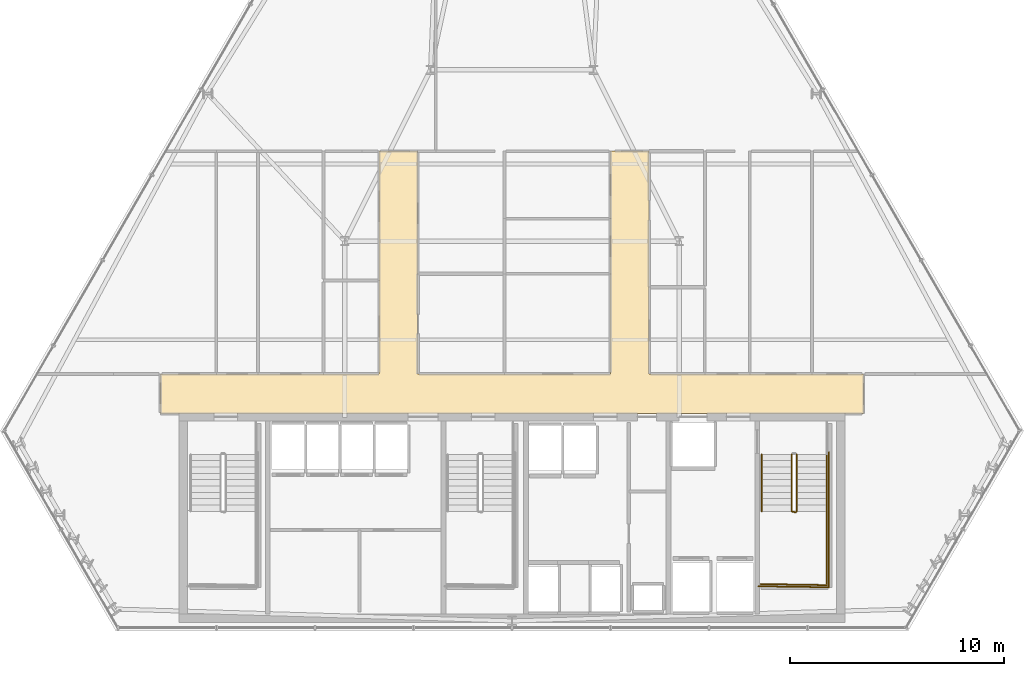
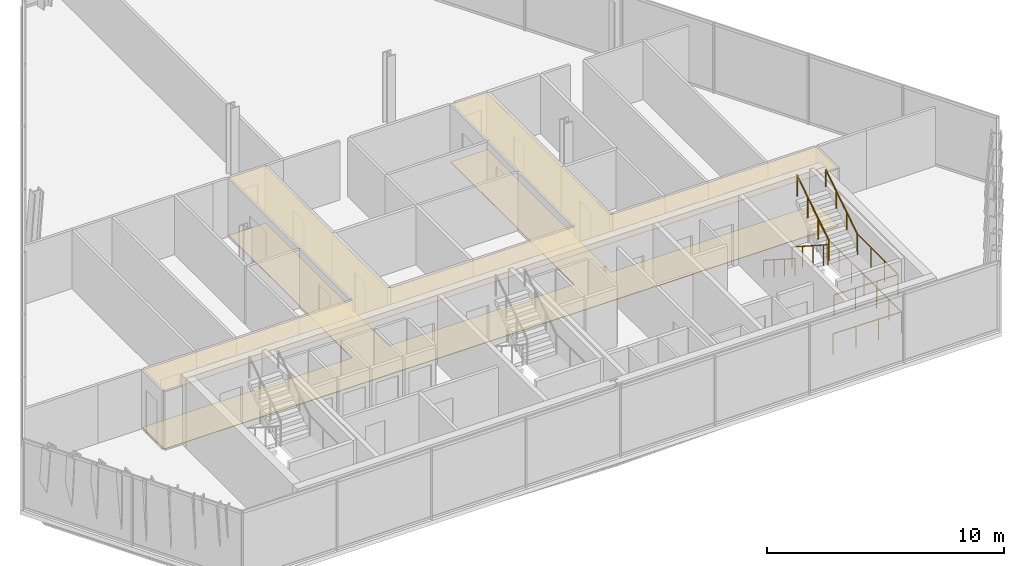
# One storey, part 32 of 33: 6 railings, 2 coverings.
"""IFC4 building model written with IfcOpenShell, lengths in metres."""

from ifc_helpers import new_model, si_unit, direction, frame, origin, origin_2d, place, context, subcontext, project, spatial, polyline, circle, outline, extrude, material, layer, layer_set, type_object, element, save


model = new_model("IFC4")

# Units and contexts
model_context = context("Model", 3, precision=1e-05, world=origin(), true_north=direction((0.0, 1.0)))
body_context = subcontext(model_context, "Body", "Model", "MODEL_VIEW")
ifc_project = project(units=[si_unit("LENGTHUNIT", "METRE"), si_unit("AREAUNIT", "SQUARE_METRE"), si_unit("VOLUMEUNIT", "CUBIC_METRE"), si_unit("PLANEANGLEUNIT", "RADIAN"), si_unit("MASSUNIT", "GRAM", prefix="KILO")], contexts=[model_context])

# Site, building, storey
site_placement = place(None, origin())
site = spatial("IfcSite", under=ifc_project, at=site_placement, CompositionType="ELEMENT")
building_placement = place(site_placement, origin())
building = spatial("IfcBuilding", under=site, at=building_placement, Name="Ndaravel Arena Tower", CompositionType="ELEMENT")
storey_placement = place(building_placement, frame((0.0, 0.0, 168.800048828125)))
storey = spatial("IfcBuildingStorey", under=building, at=storey_placement, Name="L40", CompositionType="ELEMENT", Elevation=168.800048828125)

# Coverings
ifc_material_1 = material(Name="Acoustic Ceiling Tile", Category="finish")
ifc_layer_1 = layer(ifc_material_1, 0.02490234375)
ifc_layer_set_1 = layer_set([ifc_layer_1], Name="Acoustic Ceiling Tile")
covering_type_1 = type_object("IfcCoveringType", Name="COV-CEIL-AC600", PredefinedType="CEILING", material=ifc_layer_set_1)
covering_1_placement = place(storey_placement, frame((0.0, 0.0, 2.98046875)))
element("IfcCovering", 1, at=covering_1_placement, inside=storey, type_object=covering_type_1, Name="L40 Corridor Acoustic Ceiling", PredefinedType="CEILING", context=body_context, shape_type="SweptSolid", body=[
    extrude(outline(polyline([(58.39990234375, 17.0), (48.39990234375, 17.0), (48.39990234375, 27.39990234375), (46.60009765625, 27.39990234375), (46.60009765625, 17.0), (37.60009765625, 17.0), (37.60009765625, 27.39990234375), (35.800048828125, 27.39990234375), (35.800048828125, 17.0), (25.60009765625, 17.0), (25.60009765625, 15.14990234375), (58.39990234375, 15.14990234375), (58.39990234375, 17.0)])), origin(), (0.0, 0.0, 1.0), 0.02490234375),
])
ifc_material_2 = material(Name="Terrazzo", Category="stone")
ifc_layer_2 = layer(ifc_material_2, 0.030029296875)
ifc_layer_set_2 = layer_set([ifc_layer_2], Name="Terrazzo")
covering_type_2 = type_object("IfcCoveringType", Name="COV-FLOOR-TERRAZZO", PredefinedType="FLOORING", material=ifc_layer_set_2)
covering_2_placement = place(storey_placement, origin())
element("IfcCovering", 2, at=covering_2_placement, inside=storey, type_object=covering_type_2, Name="L40 Corridor Terrazzo Flooring", PredefinedType="FLOORING", context=body_context, shape_type="SweptSolid", body=[
    extrude(outline(polyline([(58.39990234375, 17.0), (48.39990234375, 17.0), (48.39990234375, 27.39990234375), (46.60009765625, 27.39990234375), (46.60009765625, 17.0), (37.60009765625, 17.0), (37.60009765625, 27.39990234375), (35.800048828125, 27.39990234375), (35.800048828125, 17.0), (25.60009765625, 17.0), (25.60009765625, 15.14990234375), (58.39990234375, 15.14990234375), (58.39990234375, 17.0)])), origin(), (0.0, 0.0, 1.0), 0.030029296875),
])

# Railings
ifc_material_3 = material(Name="Steel S355", Category="steel")
ifc_layer_3 = layer(ifc_material_3, 0.06005859375)
ifc_layer_set_3 = layer_set([ifc_layer_3], Name="Steel S355")
railing_type_1 = type_object("IfcRailingType", Name="RAIL-STAIR-GD1100", PredefinedType="GUARDRAIL", material=ifc_layer_set_3)
railing_1_placement = place(storey_placement, frame((55.050048828125, 13.25, 0.18994140625)))
element("IfcRailing", 3, at=railing_1_placement, inside=storey, type_object=railing_type_1, Name="L40 ST-3 stair guard 1", PredefinedType="GUARDRAIL", context=body_context, shape_type="SweptSolid", body=[
    extrude(circle(Radius=0.02392578125, at=origin_2d()), frame((0.0, 0.0, 1.076171875), z_axis=(0.0, -0.840723540582, 0.54146461409), x_axis=(1.0, 0.0, 0.0)), (0.0, 0.0, 1.0), 3.157958984375),
    extrude(circle(Radius=0.02392578125, at=origin_2d()), frame((0.0, -2.655029296875, 2.7861328125), z_axis=(0.966993988697, -0.254799187253, 0.0), x_axis=(0.254799187253, 0.966993988697, 0.0)), (0.0, 0.0, 1.0), 0.196533203125),
    extrude(circle(Radius=0.02099609375, at=origin_2d()), origin(), (0.0, 0.0, 1.0), 1.052001953125),
    extrude(circle(Radius=0.02099609375, at=origin_2d()), frame((0.0, -0.885009765625, 0.570068359375)), (0.0, 0.0, 1.0), 1.052001953125),
    extrude(circle(Radius=0.02099609375, at=origin_2d()), frame((0.0, -1.77001953125, 1.139892578125)), (0.0, 0.0, 1.0), 1.052001953125),
    extrude(circle(Radius=0.02099609375, at=origin_2d()), frame((0.0, -2.655029296875, 1.7099609375)), (0.0, 0.0, 1.0), 1.052001953125),
    extrude(circle(Radius=0.02099609375, at=origin_2d()), frame((0.18994140625, -2.705078125, 1.7099609375)), (0.0, 0.0, 1.0), 1.052001953125),
])
railing_2_placement = place(storey_placement, frame((56.68994140625, 10.594970703125, 1.89990234375)))
element("IfcRailing", 4, at=railing_2_placement, inside=storey, type_object=railing_type_1, Name="L40 ST-3 stair guard 2", PredefinedType="GUARDRAIL", context=body_context, shape_type="SweptSolid", body=[
    extrude(circle(Radius=0.02392578125, at=origin_2d()), frame((0.0, 0.0, 1.076171875), z_axis=(0.0, -1.0, 0.0), x_axis=(1.0, 0.0, 0.0)), (0.0, 0.0, 1.0), 3.445068359375),
    extrude(circle(Radius=0.02392578125, at=origin_2d()), frame((0.0, -3.445068359375, 1.076171875), z_axis=(-0.999868840623, 0.016195726322, 0.0), x_axis=(-0.016195726322, -0.999868840623, 0.0)), (0.0, 0.0, 1.0), 3.09033203125),
    extrude(circle(Radius=0.02099609375, at=origin_2d()), origin(), (0.0, 0.0, 1.0), 1.052001953125),
    extrude(circle(Radius=0.02099609375, at=origin_2d()), frame((0.0, -1.1484375, 0.0)), (0.0, 0.0, 1.0), 1.052001953125),
    extrude(circle(Radius=0.02099609375, at=origin_2d()), frame((0.0, -2.296630859375, 0.0)), (0.0, 0.0, 1.0), 1.052001953125),
    extrude(circle(Radius=0.02099609375, at=origin_2d()), frame((0.0, -3.445068359375, 0.0)), (0.0, 0.0, 1.0), 1.052001953125),
    extrude(circle(Radius=0.02099609375, at=origin_2d()), frame((-1.030029296875, -3.428466796875, 0.0)), (0.0, 0.0, 1.0), 1.052001953125),
    extrude(circle(Radius=0.02099609375, at=origin_2d()), frame((-2.059814453125, -3.41162109375, 0.0)), (0.0, 0.0, 1.0), 1.052001953125),
    extrude(circle(Radius=0.02099609375, at=origin_2d()), frame((-3.08984375, -3.39501953125, 0.0)), (0.0, 0.0, 1.0), 1.052001953125),
])
railing_3_placement = place(storey_placement, frame((55.2900390625, 10.594970703125, 2.08984375)))
element("IfcRailing", 5, at=railing_3_placement, inside=storey, type_object=railing_type_1, Name="L40 ST-3 stair guard 3", PredefinedType="GUARDRAIL", context=body_context, shape_type="SweptSolid", body=[
    extrude(circle(Radius=0.02392578125, at=origin_2d()), frame((0.0, 0.0, 1.076171875), z_axis=(0.0, 0.840688348013, 0.541519253134), x_axis=(-1.0, 0.0, 0.0)), (0.0, 0.0, 1.0), 3.158203125),
    extrude(circle(Radius=0.02099609375, at=origin_2d()), origin(), (0.0, 0.0, 1.0), 1.052001953125),
    extrude(circle(Radius=0.02099609375, at=origin_2d()), frame((0.0, 0.885009765625, 0.570068359375)), (0.0, 0.0, 1.0), 1.052001953125),
    extrude(circle(Radius=0.02099609375, at=origin_2d()), frame((0.0, 1.77001953125, 1.14013671875)), (0.0, 0.0, 1.0), 1.052001953125),
    extrude(circle(Radius=0.02099609375, at=origin_2d()), frame((0.0, 2.655029296875, 1.710205078125)), (0.0, 0.0, 1.0), 1.052001953125),
])
railing_4_placement = place(storey_placement, frame((56.7900390625, 13.35009765625, 0.0)))
element("IfcRailing", 6, at=railing_4_placement, inside=storey, type_object=railing_type_1, Name="L40 ST-3 stair guard 6", PredefinedType="GUARDRAIL", context=body_context, shape_type="SweptSolid", body=[
    extrude(circle(Radius=0.02392578125, at=origin_2d()), frame((0.0, 0.0, 1.076171875), z_axis=(0.0, -1.0, 0.0), x_axis=(1.0, 0.0, 0.0)), (0.0, 0.0, 1.0), 6.300048828125),
    extrude(circle(Radius=0.02392578125, at=origin_2d()), frame((0.0, -6.300048828125, 1.076171875), z_axis=(-0.99988431412, 0.015210469308, 0.0), x_axis=(-0.015210469308, -0.99988431412, 0.0)), (0.0, 0.0, 1.0), 3.29052734375),
    extrude(circle(Radius=0.02099609375, at=origin_2d()), origin(), (0.0, 0.0, 1.0), 1.052001953125),
    extrude(circle(Radius=0.02099609375, at=origin_2d()), frame((0.0, -1.050048828125, 0.0)), (0.0, 0.0, 1.0), 1.052001953125),
    extrude(circle(Radius=0.02099609375, at=origin_2d()), frame((0.0, -2.10009765625, 0.0)), (0.0, 0.0, 1.0), 1.052001953125),
    extrude(circle(Radius=0.02099609375, at=origin_2d()), frame((0.0, -3.14990234375, 0.0)), (0.0, 0.0, 1.0), 1.052001953125),
    extrude(circle(Radius=0.02099609375, at=origin_2d()), frame((0.0, -4.199951171875, 0.0)), (0.0, 0.0, 1.0), 1.052001953125),
    extrude(circle(Radius=0.02099609375, at=origin_2d()), frame((0.0, -5.25, 0.0)), (0.0, 0.0, 1.0), 1.052001953125),
    extrude(circle(Radius=0.02099609375, at=origin_2d()), frame((0.0, -6.300048828125, 0.0)), (0.0, 0.0, 1.0), 1.052001953125),
    extrude(circle(Radius=0.02099609375, at=origin_2d()), frame((-1.0966796875, -6.283447265625, 0.0)), (0.0, 0.0, 1.0), 1.052001953125),
    extrude(circle(Radius=0.02099609375, at=origin_2d()), frame((-2.193359375, -6.2666015625, 0.0)), (0.0, 0.0, 1.0), 1.052001953125),
    extrude(circle(Radius=0.02099609375, at=origin_2d()), frame((-3.2900390625, -6.25, 0.0)), (0.0, 0.0, 1.0), 1.052001953125),
])
ifc_material_4 = material(Name="Steel S355", Category="steel")
ifc_layer_4 = layer(ifc_material_4, 0.050048828125)
ifc_layer_set_4 = layer_set([ifc_layer_4], Name="Steel S355")
railing_type_2 = type_object("IfcRailingType", Name="RAIL-STAIR-HR920", PredefinedType="HANDRAIL", material=ifc_layer_set_4)
railing_5_placement = place(storey_placement, frame((53.64990234375, 13.25, 0.18994140625)))
element("IfcRailing", 7, at=railing_5_placement, inside=storey, type_object=railing_type_2, Name="L40 ST-3 stair handrail 1", PredefinedType="HANDRAIL", context=body_context, shape_type="SweptSolid", body=[
    extrude(circle(Radius=0.02392578125, at=origin_2d()), frame((0.0, 0.0, 0.8759765625), z_axis=(0.0, -0.840723540582, 0.54146461409), x_axis=(1.0, 0.0, 0.0)), (0.0, 0.0, 1.0), 3.157958984375),
    extrude(circle(Radius=0.02099609375, at=origin_2d()), origin(), (0.0, 0.0, 1.0), 0.851806640625),
    extrude(circle(Radius=0.02099609375, at=origin_2d()), frame((0.0, -0.885009765625, 0.570068359375)), (0.0, 0.0, 1.0), 0.851806640625),
    extrude(circle(Radius=0.02099609375, at=origin_2d()), frame((0.0, -1.77001953125, 1.139892578125)), (0.0, 0.0, 1.0), 0.851806640625),
    extrude(circle(Radius=0.02099609375, at=origin_2d()), frame((0.0, -2.655029296875, 1.7099609375)), (0.0, 0.0, 1.0), 0.851806640625),
])
railing_6_placement = place(storey_placement, frame((56.68994140625, 10.594970703125, 2.08984375)))
element("IfcRailing", 8, at=railing_6_placement, inside=storey, type_object=railing_type_2, Name="L40 ST-3 stair handrail 2", PredefinedType="HANDRAIL", context=body_context, shape_type="SweptSolid", body=[
    extrude(circle(Radius=0.02392578125, at=origin_2d()), frame((0.0, 0.0, 0.8759765625), z_axis=(0.0, 0.840688348013, 0.541519253134), x_axis=(-1.0, 0.0, 0.0)), (0.0, 0.0, 1.0), 3.158203125),
    extrude(circle(Radius=0.02099609375, at=origin_2d()), origin(), (0.0, 0.0, 1.0), 0.851806640625),
    extrude(circle(Radius=0.02099609375, at=origin_2d()), frame((0.0, 0.885009765625, 0.570068359375)), (0.0, 0.0, 1.0), 0.851806640625),
    extrude(circle(Radius=0.02099609375, at=origin_2d()), frame((0.0, 1.77001953125, 1.14013671875)), (0.0, 0.0, 1.0), 0.851806640625),
    extrude(circle(Radius=0.02099609375, at=origin_2d()), frame((0.0, 2.655029296875, 1.710205078125)), (0.0, 0.0, 1.0), 0.851806640625),
])

save(model, "model.ifc")
